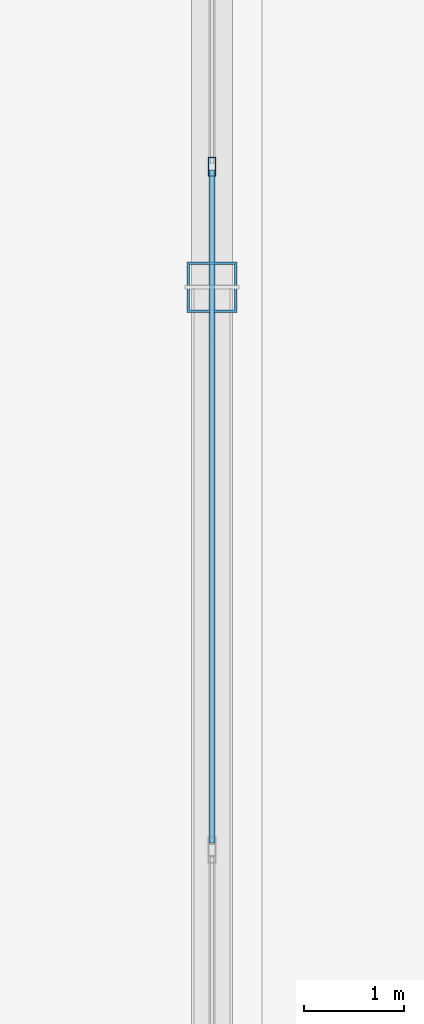
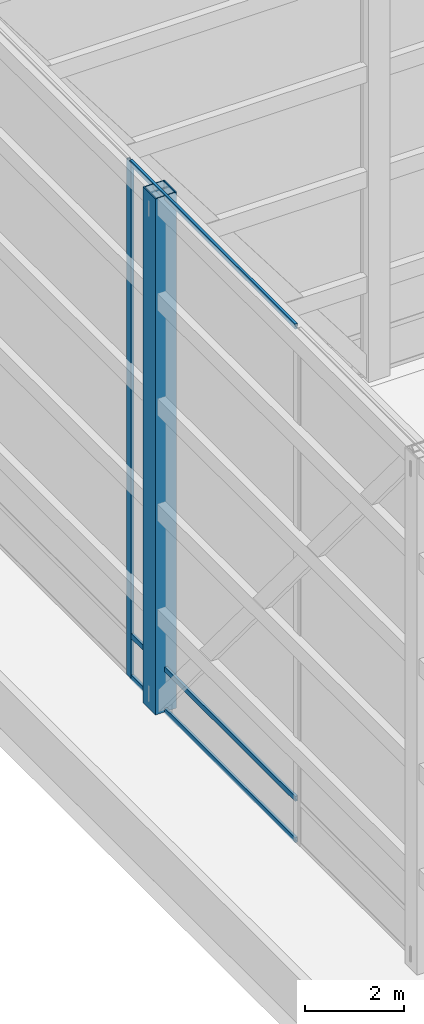
# One storey, part 8 of 23: 5 members, 1 element without a shape of its own.
"""IFC4 building model written with IfcOpenShell, lengths in metres."""

import ifcopenshell
import ifcopenshell.guid

model = None  # the IFC model being written
_history = None  # IfcOwnerHistory: only IFC2X3 demands one
_inside = {}  # id of a spatial element -> (the spatial element, [elements in it])
_under = {}  # id of a project, library or spatial element -> (it, [spatial elements below it])
_declared = {}  # id of a project -> (the project, [libraries it declares])
_typed = {}  # id of a type object -> (the type object, [elements of that type])
_made_of = {}  # id of a material, layer set ... -> (it, [elements and type objects made of it])


def new_model(schema):
    """Start an empty IFC model of exactly this schema.

    Asked for "IFC4X3", IfcOpenShell would pick the latest addendum, in which some entities
    have other attributes; the version numbers below select the first issue.
    IFC2X3 requires an IfcOwnerHistory on every rooted entity: one is made here for all.
    """
    global model, _history
    if schema == "IFC4X3":
        model = ifcopenshell.file(schema_version=(4, 3, 0, 0))
    else:
        model = ifcopenshell.file(schema=schema)
    _inside.clear()
    _under.clear()
    _declared.clear()
    _typed.clear()
    _made_of.clear()
    _history = None
    if model.schema == "IFC2X3":
        org = make("IfcOrganization", Name="unknown")
        user = make(
            "IfcPersonAndOrganization",
            ThePerson=make("IfcPerson", FamilyName="unknown"),
            TheOrganization=org,
        )
        app = make(
            "IfcApplication",
            ApplicationDeveloper=org,
            Version="unknown",
            ApplicationFullName="unknown",
            ApplicationIdentifier="unknown",
        )
        _history = make(
            "IfcOwnerHistory",
            OwningUser=user,
            OwningApplication=app,
            ChangeAction="ADDED",
            CreationDate=0,
        )
    return model


def make(cls, **values):
    """One entity of the class cls with the attributes given. An attribute that is None is left unset."""
    return model.create_entity(
        cls, **{name: value for name, value in values.items() if value is not None}
    )


def rooted(cls, **values):
    """An entity with a GlobalId (a new one), such as an element, a storey or a relation."""
    return make(cls, GlobalId=ifcopenshell.guid.new(), OwnerHistory=_history, **values)


def si_unit(unit_type, name, prefix=None):
    """IfcSIUnit, for example si_unit("LENGTHUNIT", "METRE", prefix="MILLI")."""
    return make("IfcSIUnit", UnitType=unit_type, Prefix=prefix, Name=name)


def assignment(units):
    """IfcUnitAssignment: the units of a project."""
    return None if units is None else make("IfcUnitAssignment", Units=units)


def point(xyz):
    """IfcCartesianPoint."""
    return None if xyz is None else make("IfcCartesianPoint", Coordinates=xyz)


def direction(xyz):
    """IfcDirection."""
    return None if xyz is None else make("IfcDirection", DirectionRatios=xyz)


def frame(location, z_axis=None, x_axis=None):
    """IfcAxis2Placement3D, a coordinate frame: its origin and axes. An axis left out is left unset."""
    return make(
        "IfcAxis2Placement3D",
        Location=point(location),
        Axis=direction(z_axis),
        RefDirection=direction(x_axis),
    )


def frame_2d(location, x_axis=None):
    """IfcAxis2Placement2D, a coordinate frame in the plane: its origin and x axis."""
    return make(
        "IfcAxis2Placement2D", Location=point(location), RefDirection=direction(x_axis)
    )


def origin():
    """The frame at (0, 0, 0) with its axes left unset."""
    return frame((0.0, 0.0, 0.0))


def origin_2d():
    """The frame at (0, 0) in the plane with its x axis left unset."""
    return frame_2d((0.0, 0.0))


def place(relative_to, where):
    """IfcLocalPlacement: puts the frame where relative to a parent placement (None: the world)."""
    return make(
        "IfcLocalPlacement", PlacementRelTo=relative_to, RelativePlacement=where
    )


def context(
    kind, dimensions, precision=None, world=None, true_north=None, identifier=None
):
    """IfcGeometricRepresentationContext, for example the 3D "Model" context."""
    return make(
        "IfcGeometricRepresentationContext",
        ContextIdentifier=identifier,
        ContextType=kind,
        CoordinateSpaceDimension=dimensions,
        Precision=precision,
        WorldCoordinateSystem=world,
        TrueNorth=true_north,
    )


def subcontext(parent, identifier, kind, view, scale=None):
    """IfcGeometricRepresentationSubContext, for example "Body" below "Model"."""
    return make(
        "IfcGeometricRepresentationSubContext",
        ContextIdentifier=identifier,
        ContextType=kind,
        ParentContext=parent,
        TargetScale=scale,
        TargetView=view,
    )


def project(units=None, contexts=None):
    """IfcProject with its units and contexts."""
    return rooted(
        "IfcProject",
        Name="project",
        RepresentationContexts=contexts,
        UnitsInContext=assignment(units),
    )


def spatial(cls, under=None, at=None, **own):
    """A site, building, storey or space (cls), placed at a placement, below another one or the project."""
    s = rooted(cls, ObjectPlacement=at, **own)
    if under is not None:
        _under.setdefault(under.id(), (under, []))[1].append(s)
    return s


def profile(cls, at=None, kind="AREA", **sizes):
    """A parametric profile (cls). Its sizes go by their IFC names, for example OverallWidth=200.0."""
    return make(cls, ProfileType=kind, Position=at, **sizes)


def hollow_rectangle(**sizes):
    """IfcRectangleHollowProfileDef."""
    return profile("IfcRectangleHollowProfileDef", **sizes)


def extrude(swept, where, along, depth):
    """IfcExtrudedAreaSolid: the profile swept, set in the frame where, extruded along a direction by depth."""
    return make(
        "IfcExtrudedAreaSolid",
        SweptArea=swept,
        Position=where,
        ExtrudedDirection=direction(along),
        Depth=depth,
    )


def shape(context_of_items, identifier, shape_type, items):
    """IfcShapeRepresentation: the items that make up one representation, for example the "Body"."""
    return make(
        "IfcShapeRepresentation",
        ContextOfItems=context_of_items,
        RepresentationIdentifier=identifier,
        RepresentationType=shape_type,
        Items=items,
    )


def source(mapping_origin, context_of_items, identifier, shape_type, items):
    """IfcRepresentationMap: a shape defined once, which mapped items show again and again."""
    return make(
        "IfcRepresentationMap",
        MappingOrigin=mapping_origin,
        MappedRepresentation=shape(context_of_items, identifier, shape_type, items),
    )


def transform(
    local_origin,
    x_axis=None,
    y_axis=None,
    z_axis=None,
    scale=None,
    scale2=None,
    scale3=None,
    uniform=True,
):
    """IfcCartesianTransformationOperator3D, or its non-uniform kind. x_axis, y_axis, z_axis: its Axis1, 2, 3."""
    if uniform:
        return make(
            "IfcCartesianTransformationOperator3D",
            Axis1=direction(x_axis),
            Axis2=direction(y_axis),
            LocalOrigin=point(local_origin),
            Scale=scale,
            Axis3=direction(z_axis),
        )
    return make(
        "IfcCartesianTransformationOperator3DnonUniform",
        Axis1=direction(x_axis),
        Axis2=direction(y_axis),
        LocalOrigin=point(local_origin),
        Scale=scale,
        Axis3=direction(z_axis),
        Scale2=scale2,
        Scale3=scale3,
    )


def mapped(mapping_source, mapping_target):
    """IfcMappedItem: shows the shape of a source again, moved by a transform."""
    return make(
        "IfcMappedItem", MappingSource=mapping_source, MappingTarget=mapping_target
    )


def material(Name=None, Category=None):
    """IfcMaterial."""
    return make("IfcMaterial", Name=Name, Category=Category)


def layer(
    of_material, thickness, ventilated=None, Name=None, Category=None, Priority=None
):
    """IfcMaterialLayer: one layer of a wall or slab, of a material (None: an air gap)."""
    return make(
        "IfcMaterialLayer",
        Material=of_material,
        LayerThickness=thickness,
        IsVentilated=ventilated,
        Name=Name,
        Category=Category,
        Priority=Priority,
    )


def layer_set(layers, Name=None):
    """IfcMaterialLayerSet."""
    return make("IfcMaterialLayerSet", MaterialLayers=layers, LayerSetName=Name)


def material_profile(
    of_material, cross_section, Name=None, Category=None, Priority=None
):
    """IfcMaterialProfile: a cross section and its material."""
    return make(
        "IfcMaterialProfile",
        Name=Name,
        Material=of_material,
        Profile=cross_section,
        Priority=Priority,
        Category=Category,
    )


def profile_set(profiles, Name=None, composite=None):
    """IfcMaterialProfileSet."""
    return make(
        "IfcMaterialProfileSet",
        Name=Name,
        MaterialProfiles=profiles,
        CompositeProfile=composite,
    )


def made_of(thing, what):
    """Note that an element or type object is made of a material, layer set ...; save() writes the relation."""
    if what is not None:
        _made_of.setdefault(what.id(), (what, []))[1].append(thing)
    return thing


def type_object(cls, material=None, **own):
    """A type object (cls), such as IfcWallType, which elements share."""
    return made_of(rooted(cls, **own), material)


def type_shapes(of_type, sources):
    """Give a type object the sources (RepresentationMaps) that its elements show as mapped items."""
    of_type.RepresentationMaps = sources


def element(
    cls,
    number,
    at=None,
    inside=None,
    cuts=None,
    type_object=None,
    material=None,
    context=None,
    identifier="Body",
    shape_type=None,
    held_by="IfcProductDefinitionShape",
    body=None,
    shapes=None,
    **own,
):
    """One element of the class cls, such as IfcWall. Its Tag is "e" and its number.

    at: its placement. inside: the storey or other place that contains it. cuts: it is an
    opening in that element (IfcRelVoidsElement). A single representation is given by context,
    identifier, shape_type and body (its items); several are given by shapes. held_by: the class
    of the entity that holds the representations. save() writes the other relations.
    """
    e = rooted(cls, Tag="e%d" % number, ObjectPlacement=at, **own)
    if body is not None:
        shapes = [shape(context, identifier, shape_type, body)]
    if shapes is not None:
        e.Representation = make(held_by, Representations=shapes)
    if inside is not None:
        _inside.setdefault(inside.id(), (inside, []))[1].append(e)
    if cuts is not None:
        rooted(
            "IfcRelVoidsElement", RelatingBuildingElement=cuts, RelatedOpeningElement=e
        )
    if type_object is not None:
        _typed.setdefault(type_object.id(), (type_object, []))[1].append(e)
    return made_of(e, material)


def aggregate(whole, parts):
    """IfcRelAggregates: a whole, such as a stair, and the parts it consists of."""
    return rooted("IfcRelAggregates", RelatingObject=whole, RelatedObjects=parts)


def save(model, path):
    """Write the relations noted so far, then the file.

    IfcRelAggregates (storeys below a building ...), IfcRelContainedInSpatialStructure (elements
    in a storey), IfcRelDefinesByType, IfcRelAssociatesMaterial and IfcRelDeclares: one each for
    every whole, place, type object, material and project.
    """
    for whole, parts in _under.values():
        aggregate(whole, parts)
    for where, things in _inside.values():
        rooted(
            "IfcRelContainedInSpatialStructure",
            RelatedElements=things,
            RelatingStructure=where,
        )
    for kind, things in _typed.values():
        rooted("IfcRelDefinesByType", RelatedObjects=things, RelatingType=kind)
    for what, things in _made_of.values():
        rooted("IfcRelAssociatesMaterial", RelatedObjects=things, RelatingMaterial=what)
    for by, libraries in _declared.values():
        rooted("IfcRelDeclares", RelatingContext=by, RelatedDefinitions=libraries)
    model.write(path)


model = new_model("IFC4")

# Units and contexts
model_context = context("Model", 3, precision=1e-05, world=origin(), true_north=direction((0.0, 1.0)))
body_context = subcontext(model_context, "Body", "Model", "MODEL_VIEW")
ifc_project = project(units=[si_unit("LENGTHUNIT", "METRE"), si_unit("AREAUNIT", "SQUARE_METRE"), si_unit("VOLUMEUNIT", "CUBIC_METRE"), si_unit("PLANEANGLEUNIT", "RADIAN"), si_unit("MASSUNIT", "GRAM", prefix="KILO")], contexts=[model_context])

# Site, building, storey
site_placement = place(None, origin())
site = spatial("IfcSite", under=ifc_project, at=site_placement, CompositionType="ELEMENT")
building_placement = place(site_placement, origin())
building = spatial("IfcBuilding", under=site, at=building_placement, Name="Varnel Quay Broadcast Tower", CompositionType="ELEMENT")
storey_placement = place(building_placement, frame((0.0, 0.0, 319.800048828125)))
storey = spatial("IfcBuildingStorey", under=building, at=storey_placement, Name="Roof", CompositionType="ELEMENT", Elevation=319.800048828125)

# Member
ifc_material_1 = material(Name="Structural Steel CSA G40.21 350WT", Category="steel")
ifc_material_profile_1 = material_profile(ifc_material_1, hollow_rectangle(XDim=0.5, YDim=0.5, WallThickness=0.02490234375, at=origin_2d()), Name="BOX500X500X25")
ifc_profile_set_1 = profile_set([ifc_material_profile_1], Name="Structural Steel CSA G40.21 350WT")
member_type_1 = type_object("IfcMemberType", Name="CrownRingPost_BOX500", PredefinedType="POST", material=ifc_profile_set_1)
shared_shape_1 = source(origin(), body_context, "Body", "SweptSolid", [
    extrude(hollow_rectangle(XDim=0.5, YDim=0.5, WallThickness=0.02490234375, at=origin_2d()), origin(), (0.0, 0.0, 1.0), 12.75),
])
type_shapes(member_type_1, [shared_shape_1])
member_1_placement = place(storey_placement, frame((15.199951171875, 35.60009765625, 0.0), z_axis=(0.0, 0.0, 1.0), x_axis=(1.0, 0.0, 0.0)))
element("IfcMember", 1, at=member_1_placement, inside=storey, type_object=member_type_1, Name="CROWN FRAME Ring Post 13", PredefinedType="POST", context=body_context, shape_type="MappedRepresentation", body=[
    mapped(shared_shape_1, transform((0.0, 0.0, 0.0), x_axis=(1.0, 0.0, 0.0), y_axis=(0.0, 1.0, 0.0), z_axis=(0.0, 0.0, 1.0), scale=1.0)),
])

# Curtain wall, members
ifc_material_2 = material(Name="Anodised Bronze Aluminium 6063-T6", Category="aluminium")
ifc_layer = layer(ifc_material_2, 0.18994140625, Name="Anodised Bronze Aluminium 6063-T6")
ifc_layer_set = layer_set([ifc_layer], Name="Anodised Bronze Aluminium 6063-T6")
curtain_wall_type = type_object("IfcCurtainWallType", Name="CW_CrownScreen", PredefinedType="NOTDEFINED", material=ifc_layer_set)
curtain_wall_placement = place(storey_placement, origin())
curtain_wall = element("IfcCurtainWall", 2, at=curtain_wall_placement, inside=storey, type_object=curtain_wall_type, Name="Ring Crown Bronze Glazed Louvre Screen W1", PredefinedType="NOTDEFINED")
ifc_material_profile_2 = material_profile(ifc_material_2, hollow_rectangle(XDim=0.070068359375, YDim=0.18994140625, WallThickness=0.00390625, at=origin_2d()), Name="ALU70X190X4")
ifc_profile_set_2 = profile_set([ifc_material_profile_2], Name="Anodised Bronze Aluminium 6063-T6")
member_type_2 = type_object("IfcMemberType", Name="Mull_CWS-06", PredefinedType="MULLION", material=ifc_profile_set_2)
shared_shape_2 = source(origin(), body_context, "Body", "SweptSolid", [
    extrude(hollow_rectangle(XDim=0.070068359375, YDim=0.18994140625, WallThickness=0.00390625, at=origin_2d()), origin(), (0.0, 0.0, 1.0), 12.75),
])
type_shapes(member_type_2, [shared_shape_2])
member_2_placement = place(storey_placement, frame((15.199951171875, 36.800048828125, 0.0), z_axis=(0.0, 0.0, 1.0), x_axis=(1.0, 0.0, 0.0)))
member_2 = element("IfcMember", 3, at=member_2_placement, type_object=member_type_2, Name="CWS-06 mullion 2", PredefinedType="MULLION", context=body_context, shape_type="MappedRepresentation", body=[
    mapped(shared_shape_2, transform((0.0, 0.0, 0.0), x_axis=(1.0, 0.0, 0.0), y_axis=(0.0, 1.0, 0.0), z_axis=(0.0, 0.0, 1.0), scale=1.0)),
])
ifc_material_profile_3 = material_profile(ifc_material_2, hollow_rectangle(XDim=0.06005859375, YDim=0.125, WallThickness=0.0029296875, at=origin_2d()), Name="ALU60X125X3")
ifc_profile_set_3 = profile_set([ifc_material_profile_3], Name="Anodised Bronze Aluminium 6063-T6")
member_type_3 = type_object("IfcMemberType", Name="Tran_CWS-06", PredefinedType="USERDEFINED", material=ifc_profile_set_3)
shared_shape_3 = source(origin(), body_context, "Body", "SweptSolid", [
    extrude(hollow_rectangle(XDim=0.06005859375, YDim=0.125, WallThickness=0.0029296875, at=origin_2d()), origin(), (0.0, 0.0, 1.0), 6.69482421875),
])
type_shapes(member_type_3, [shared_shape_3])
member_3_placement = place(storey_placement, frame((15.199951171875, 36.764892578125, 0.030029296875), z_axis=(0.0, -1.0, 0.0), x_axis=(1.0, 0.0, 0.0)))
member_3 = element("IfcMember", 4, at=member_3_placement, type_object=member_type_3, Name="CWS-06 transom 2.1", ObjectType="TRANSOM", PredefinedType="USERDEFINED", context=body_context, shape_type="MappedRepresentation", body=[
    mapped(shared_shape_3, transform((0.0, 0.0, 0.0), x_axis=(1.0, 0.0, 0.0), y_axis=(0.0, 1.0, 0.0), z_axis=(0.0, 0.0, 1.0), scale=1.0)),
])
member_4_placement = place(storey_placement, frame((15.199951171875, 36.764892578125, 1.050048828125), z_axis=(0.0, -1.0, 0.0), x_axis=(1.0, 0.0, 0.0)))
member_4 = element("IfcMember", 5, at=member_4_placement, type_object=member_type_3, Name="CWS-06 transom 2.2", ObjectType="TRANSOM", PredefinedType="USERDEFINED", context=body_context, shape_type="MappedRepresentation", body=[
    mapped(shared_shape_3, transform((0.0, 0.0, 0.0), x_axis=(1.0, 0.0, 0.0), y_axis=(0.0, 1.0, 0.0), z_axis=(0.0, 0.0, 1.0), scale=1.0)),
])
member_5_placement = place(storey_placement, frame((15.199951171875, 36.764892578125, 12.719970703125), z_axis=(0.0, -1.0, 0.0), x_axis=(1.0, 0.0, 0.0)))
member_5 = element("IfcMember", 6, at=member_5_placement, type_object=member_type_3, Name="CWS-06 transom 2.3", ObjectType="TRANSOM", PredefinedType="USERDEFINED", context=body_context, shape_type="MappedRepresentation", body=[
    mapped(shared_shape_3, transform((0.0, 0.0, 0.0), x_axis=(1.0, 0.0, 0.0), y_axis=(0.0, 1.0, 0.0), z_axis=(0.0, 0.0, 1.0), scale=1.0)),
])
aggregate(curtain_wall, [member_2, member_3, member_4, member_5])

save(model, "model.ifc")
